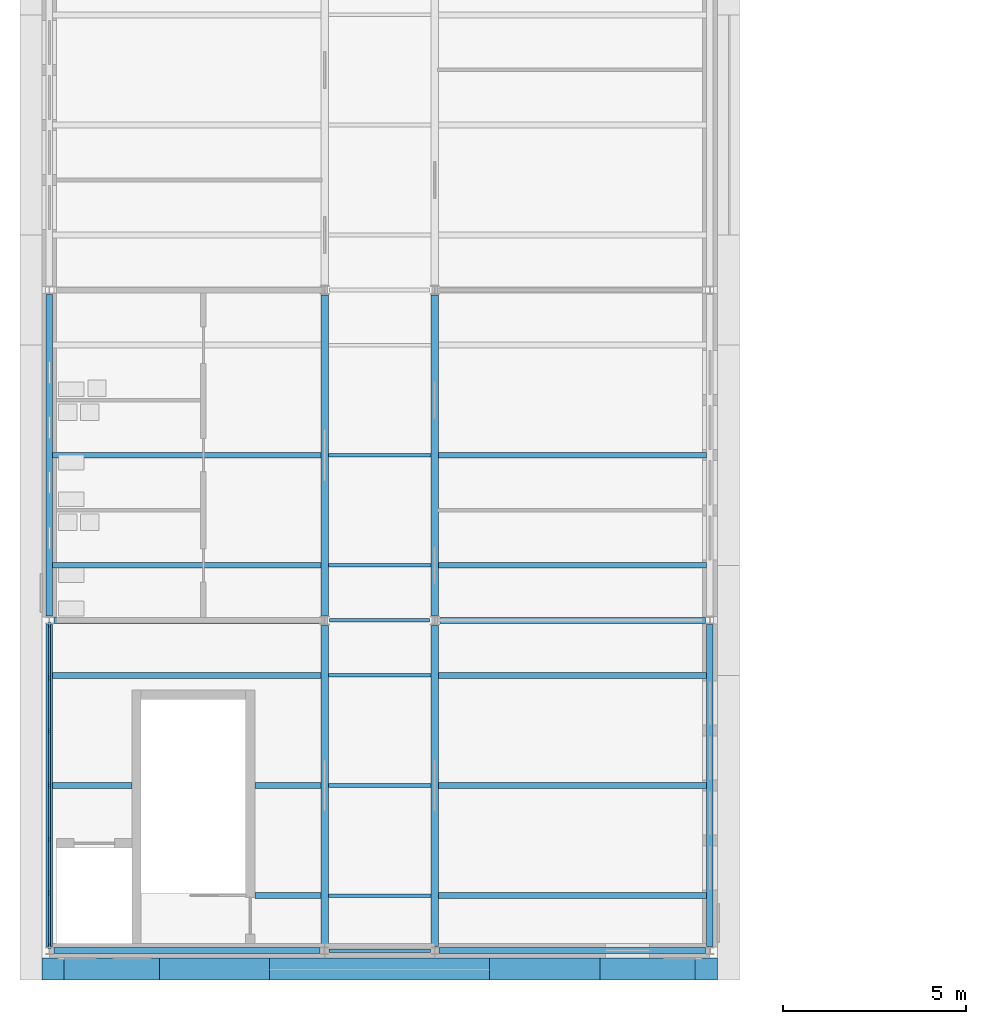
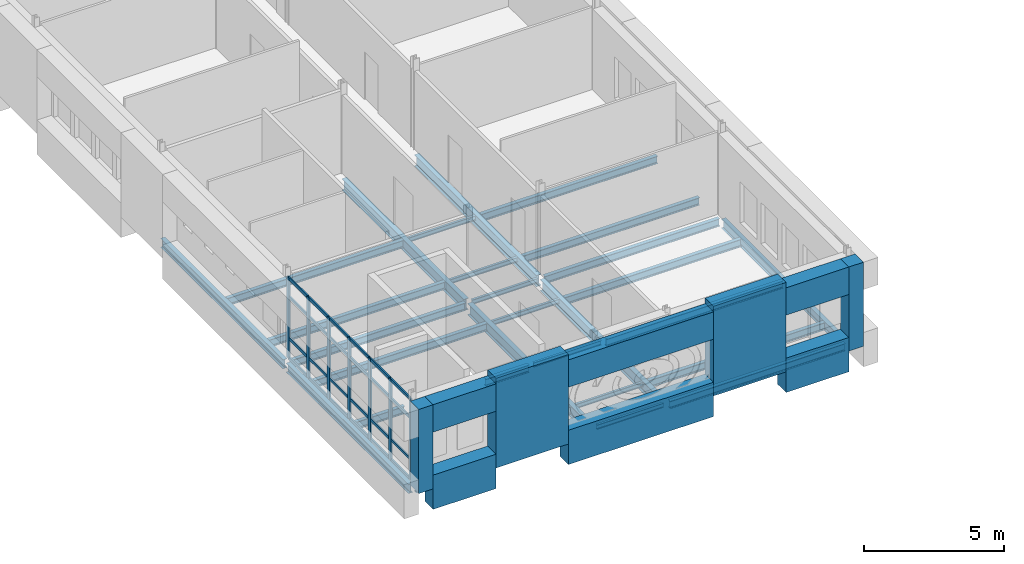
# One storey, part 7 of 42: 35 beams, 35 members, 1 element without a shape of its own.
"""IFC4 building model written with IfcOpenShell, lengths in metres."""

from ifc_helpers import new_model, si_unit, direction, frame, origin, origin_2d, place, context, subcontext, project, spatial, rectangle, i_section, extrude, material, layer, layer_set, material_profile, profile_set, type_object, element, aggregate, save


model = new_model("IFC4")

# Units and contexts
model_context = context("Model", 3, precision=1e-05, world=origin(), true_north=direction((0.0, 1.0)))
body_context = subcontext(model_context, "Body", "Model", "MODEL_VIEW")
ifc_project = project(units=[si_unit("LENGTHUNIT", "METRE"), si_unit("AREAUNIT", "SQUARE_METRE"), si_unit("VOLUMEUNIT", "CUBIC_METRE"), si_unit("PLANEANGLEUNIT", "RADIAN"), si_unit("MASSUNIT", "GRAM", prefix="KILO")], contexts=[model_context])

# Site, building, storey
site_placement = place(None, origin())
site = spatial("IfcSite", under=ifc_project, at=site_placement, CompositionType="ELEMENT")
building_placement = place(site_placement, origin())
building = spatial("IfcBuilding", under=site, at=building_placement, Name="Golden Quay Civic Hall", CompositionType="ELEMENT")
storey_placement = place(building_placement, frame((0.0, 0.0, 22.800048828125)))
storey = spatial("IfcBuildingStorey", under=building, at=storey_placement, Name="L05", CompositionType="ELEMENT", Elevation=22.800048828125)

# Curtain wall, members
ifc_material_1 = material(Name="Glass, laminated double glazed", Category="glass")
ifc_layer = layer(ifc_material_1, 0.199951171875)
ifc_layer_set = layer_set([ifc_layer], Name="Glazed core strip curtain wall")
curtain_wall_type = type_object("IfcCurtainWallType", Name="Glazed core strip curtain wall", PredefinedType="NOTDEFINED", material=ifc_layer_set)
curtain_wall_placement = place(storey_placement, origin())
curtain_wall = element("IfcCurtainWall", 1, at=curtain_wall_placement, inside=storey, type_object=curtain_wall_type, Name="Glazed core strip curtain wall L05 1", PredefinedType="NOTDEFINED")
ifc_material_2 = material(Name="Aluminium, anodised", Category="aluminium")
ifc_material_profile_1 = material_profile(ifc_material_2, rectangle(XDim=0.06005859375, YDim=0.159912109375, at=origin_2d()), Name="Aluminium 60 x 160")
ifc_profile_set_1 = profile_set([ifc_material_profile_1], Name="Aluminium, anodised")
member_type_1 = type_object("IfcMemberType", Name="Aluminium mullion 60 x 160", PredefinedType="MULLION", material=ifc_profile_set_1)
member_1_placement = place(storey_placement, frame((0.0, -8.875, 0.0), z_axis=(0.0, 0.0, 1.0), x_axis=(-1.0, 0.0, 0.0)))
member_1 = element("IfcMember", 2, at=member_1_placement, type_object=member_type_1, Name="CW2 mullion 1", PredefinedType="MULLION", context=body_context, shape_type="SweptSolid", body=[
    extrude(rectangle(XDim=0.06005859375, YDim=0.159912109375, at=origin_2d()), origin(), (0.0, 0.0, 1.0), 3.550048828125),
])
member_2_placement = place(storey_placement, frame((0.0, -7.436767578125, 0.0), z_axis=(0.0, 0.0, 1.0), x_axis=(-1.0, 0.0, 0.0)))
member_2 = element("IfcMember", 3, at=member_2_placement, type_object=member_type_1, Name="CW2 mullion 2", PredefinedType="MULLION", context=body_context, shape_type="SweptSolid", body=[
    extrude(rectangle(XDim=0.06005859375, YDim=0.159912109375, at=origin_2d()), origin(), (0.0, 0.0, 1.0), 3.550048828125),
])
member_3_placement = place(storey_placement, frame((0.0, -5.96826171875, 0.0), z_axis=(0.0, 0.0, 1.0), x_axis=(-1.0, 0.0, 0.0)))
member_3 = element("IfcMember", 4, at=member_3_placement, type_object=member_type_1, Name="CW2 mullion 3", PredefinedType="MULLION", context=body_context, shape_type="SweptSolid", body=[
    extrude(rectangle(XDim=0.06005859375, YDim=0.159912109375, at=origin_2d()), origin(), (0.0, 0.0, 1.0), 3.550048828125),
])
member_4_placement = place(storey_placement, frame((0.0, -4.5, 0.0), z_axis=(0.0, 0.0, 1.0), x_axis=(-1.0, 0.0, 0.0)))
member_4 = element("IfcMember", 5, at=member_4_placement, type_object=member_type_1, Name="CW2 mullion 4", PredefinedType="MULLION", context=body_context, shape_type="SweptSolid", body=[
    extrude(rectangle(XDim=0.06005859375, YDim=0.159912109375, at=origin_2d()), origin(), (0.0, 0.0, 1.0), 3.550048828125),
])
member_5_placement = place(storey_placement, frame((0.0, -3.03173828125, 0.0), z_axis=(0.0, 0.0, 1.0), x_axis=(-1.0, 0.0, 0.0)))
member_5 = element("IfcMember", 6, at=member_5_placement, type_object=member_type_1, Name="CW2 mullion 5", PredefinedType="MULLION", context=body_context, shape_type="SweptSolid", body=[
    extrude(rectangle(XDim=0.06005859375, YDim=0.159912109375, at=origin_2d()), origin(), (0.0, 0.0, 1.0), 3.550048828125),
])
member_6_placement = place(storey_placement, frame((0.0, -1.563232421875, 0.0), z_axis=(0.0, 0.0, 1.0), x_axis=(-1.0, 0.0, 0.0)))
member_6 = element("IfcMember", 7, at=member_6_placement, type_object=member_type_1, Name="CW2 mullion 6", PredefinedType="MULLION", context=body_context, shape_type="SweptSolid", body=[
    extrude(rectangle(XDim=0.06005859375, YDim=0.159912109375, at=origin_2d()), origin(), (0.0, 0.0, 1.0), 3.550048828125),
])
member_7_placement = place(storey_placement, frame((0.0, -0.125, 0.0), z_axis=(0.0, 0.0, 1.0), x_axis=(-1.0, 0.0, 0.0)))
member_7 = element("IfcMember", 8, at=member_7_placement, type_object=member_type_1, Name="CW2 mullion 7", PredefinedType="MULLION", context=body_context, shape_type="SweptSolid", body=[
    extrude(rectangle(XDim=0.06005859375, YDim=0.159912109375, at=origin_2d()), origin(), (0.0, 0.0, 1.0), 3.550048828125),
])
ifc_material_3 = material(Name="Aluminium, anodised", Category="aluminium")
ifc_material_profile_2 = material_profile(ifc_material_3, rectangle(XDim=0.06005859375, YDim=0.1201171875, at=origin_2d()), Name="Aluminium 60 x 120")
ifc_profile_set_2 = profile_set([ifc_material_profile_2], Name="Aluminium, anodised")
member_type_2 = type_object("IfcMemberType", Name="Aluminium transom 60 x 120", PredefinedType="USERDEFINED", material=ifc_profile_set_2)
member_8_placement = place(storey_placement, frame((0.0, -8.844970703125, 0.030029296875), z_axis=(0.0, 1.0, 0.0), x_axis=(-1.0, 0.0, 0.0)))
member_8 = element("IfcMember", 9, at=member_8_placement, type_object=member_type_2, Name="CW2 transom 1.1", ObjectType="TRANSOM", PredefinedType="USERDEFINED", context=body_context, shape_type="SweptSolid", body=[
    extrude(rectangle(XDim=0.06005859375, YDim=0.1201171875, at=origin_2d()), origin(), (0.0, 0.0, 1.0), 1.37841796875),
])
member_9_placement = place(storey_placement, frame((0.0, -8.844970703125, 0.89990234375), z_axis=(0.0, 1.0, 0.0), x_axis=(-1.0, 0.0, 0.0)))
member_9 = element("IfcMember", 10, at=member_9_placement, type_object=member_type_2, Name="CW2 transom 1.2", ObjectType="TRANSOM", PredefinedType="USERDEFINED", context=body_context, shape_type="SweptSolid", body=[
    extrude(rectangle(XDim=0.06005859375, YDim=0.1201171875, at=origin_2d()), origin(), (0.0, 0.0, 1.0), 1.37841796875),
])
member_10_placement = place(storey_placement, frame((0.0, -8.844970703125, 2.699951171875), z_axis=(0.0, 1.0, 0.0), x_axis=(-1.0, 0.0, 0.0)))
member_10 = element("IfcMember", 11, at=member_10_placement, type_object=member_type_2, Name="CW2 transom 1.3", ObjectType="TRANSOM", PredefinedType="USERDEFINED", context=body_context, shape_type="SweptSolid", body=[
    extrude(rectangle(XDim=0.06005859375, YDim=0.1201171875, at=origin_2d()), origin(), (0.0, 0.0, 1.0), 1.37841796875),
])
member_11_placement = place(storey_placement, frame((0.0, -8.844970703125, 3.52001953125), z_axis=(0.0, 1.0, 0.0), x_axis=(-1.0, 0.0, 0.0)))
member_11 = element("IfcMember", 12, at=member_11_placement, type_object=member_type_2, Name="CW2 transom 1.4", ObjectType="TRANSOM", PredefinedType="USERDEFINED", context=body_context, shape_type="SweptSolid", body=[
    extrude(rectangle(XDim=0.06005859375, YDim=0.1201171875, at=origin_2d()), origin(), (0.0, 0.0, 1.0), 1.37841796875),
])
member_12_placement = place(storey_placement, frame((0.0, -7.40673828125, 0.030029296875), z_axis=(0.0, 1.0, 0.0), x_axis=(-1.0, 0.0, 0.0)))
member_12 = element("IfcMember", 13, at=member_12_placement, type_object=member_type_2, Name="CW2 transom 2.1", ObjectType="TRANSOM", PredefinedType="USERDEFINED", context=body_context, shape_type="SweptSolid", body=[
    extrude(rectangle(XDim=0.06005859375, YDim=0.1201171875, at=origin_2d()), origin(), (0.0, 0.0, 1.0), 1.408447265625),
])
member_13_placement = place(storey_placement, frame((0.0, -7.40673828125, 0.89990234375), z_axis=(0.0, 1.0, 0.0), x_axis=(-1.0, 0.0, 0.0)))
member_13 = element("IfcMember", 14, at=member_13_placement, type_object=member_type_2, Name="CW2 transom 2.2", ObjectType="TRANSOM", PredefinedType="USERDEFINED", context=body_context, shape_type="SweptSolid", body=[
    extrude(rectangle(XDim=0.06005859375, YDim=0.1201171875, at=origin_2d()), origin(), (0.0, 0.0, 1.0), 1.408447265625),
])
member_14_placement = place(storey_placement, frame((0.0, -7.40673828125, 2.699951171875), z_axis=(0.0, 1.0, 0.0), x_axis=(-1.0, 0.0, 0.0)))
member_14 = element("IfcMember", 15, at=member_14_placement, type_object=member_type_2, Name="CW2 transom 2.3", ObjectType="TRANSOM", PredefinedType="USERDEFINED", context=body_context, shape_type="SweptSolid", body=[
    extrude(rectangle(XDim=0.06005859375, YDim=0.1201171875, at=origin_2d()), origin(), (0.0, 0.0, 1.0), 1.408447265625),
])
member_15_placement = place(storey_placement, frame((0.0, -7.40673828125, 3.52001953125), z_axis=(0.0, 1.0, 0.0), x_axis=(-1.0, 0.0, 0.0)))
member_15 = element("IfcMember", 16, at=member_15_placement, type_object=member_type_2, Name="CW2 transom 2.4", ObjectType="TRANSOM", PredefinedType="USERDEFINED", context=body_context, shape_type="SweptSolid", body=[
    extrude(rectangle(XDim=0.06005859375, YDim=0.1201171875, at=origin_2d()), origin(), (0.0, 0.0, 1.0), 1.408447265625),
])
member_16_placement = place(storey_placement, frame((0.0, -5.938232421875, 0.030029296875), z_axis=(0.0, 1.0, 0.0), x_axis=(-1.0, 0.0, 0.0)))
member_16 = element("IfcMember", 17, at=member_16_placement, type_object=member_type_2, Name="CW2 transom 3.1", ObjectType="TRANSOM", PredefinedType="USERDEFINED", context=body_context, shape_type="SweptSolid", body=[
    extrude(rectangle(XDim=0.06005859375, YDim=0.1201171875, at=origin_2d()), origin(), (0.0, 0.0, 1.0), 1.408203125),
])
member_17_placement = place(storey_placement, frame((0.0, -5.938232421875, 0.89990234375), z_axis=(0.0, 1.0, 0.0), x_axis=(-1.0, 0.0, 0.0)))
member_17 = element("IfcMember", 18, at=member_17_placement, type_object=member_type_2, Name="CW2 transom 3.2", ObjectType="TRANSOM", PredefinedType="USERDEFINED", context=body_context, shape_type="SweptSolid", body=[
    extrude(rectangle(XDim=0.06005859375, YDim=0.1201171875, at=origin_2d()), origin(), (0.0, 0.0, 1.0), 1.408203125),
])
member_18_placement = place(storey_placement, frame((0.0, -5.938232421875, 2.699951171875), z_axis=(0.0, 1.0, 0.0), x_axis=(-1.0, 0.0, 0.0)))
member_18 = element("IfcMember", 19, at=member_18_placement, type_object=member_type_2, Name="CW2 transom 3.3", ObjectType="TRANSOM", PredefinedType="USERDEFINED", context=body_context, shape_type="SweptSolid", body=[
    extrude(rectangle(XDim=0.06005859375, YDim=0.1201171875, at=origin_2d()), origin(), (0.0, 0.0, 1.0), 1.408203125),
])
member_19_placement = place(storey_placement, frame((0.0, -5.938232421875, 3.52001953125), z_axis=(0.0, 1.0, 0.0), x_axis=(-1.0, 0.0, 0.0)))
member_19 = element("IfcMember", 20, at=member_19_placement, type_object=member_type_2, Name="CW2 transom 3.4", ObjectType="TRANSOM", PredefinedType="USERDEFINED", context=body_context, shape_type="SweptSolid", body=[
    extrude(rectangle(XDim=0.06005859375, YDim=0.1201171875, at=origin_2d()), origin(), (0.0, 0.0, 1.0), 1.408203125),
])
member_20_placement = place(storey_placement, frame((0.0, -4.469970703125, 0.030029296875), z_axis=(0.0, 1.0, 0.0), x_axis=(-1.0, 0.0, 0.0)))
member_20 = element("IfcMember", 21, at=member_20_placement, type_object=member_type_2, Name="CW2 transom 4.1", ObjectType="TRANSOM", PredefinedType="USERDEFINED", context=body_context, shape_type="SweptSolid", body=[
    extrude(rectangle(XDim=0.06005859375, YDim=0.1201171875, at=origin_2d()), origin(), (0.0, 0.0, 1.0), 1.408203125),
])
member_21_placement = place(storey_placement, frame((0.0, -4.469970703125, 0.89990234375), z_axis=(0.0, 1.0, 0.0), x_axis=(-1.0, 0.0, 0.0)))
member_21 = element("IfcMember", 22, at=member_21_placement, type_object=member_type_2, Name="CW2 transom 4.2", ObjectType="TRANSOM", PredefinedType="USERDEFINED", context=body_context, shape_type="SweptSolid", body=[
    extrude(rectangle(XDim=0.06005859375, YDim=0.1201171875, at=origin_2d()), origin(), (0.0, 0.0, 1.0), 1.408203125),
])
member_22_placement = place(storey_placement, frame((0.0, -4.469970703125, 2.699951171875), z_axis=(0.0, 1.0, 0.0), x_axis=(-1.0, 0.0, 0.0)))
member_22 = element("IfcMember", 23, at=member_22_placement, type_object=member_type_2, Name="CW2 transom 4.3", ObjectType="TRANSOM", PredefinedType="USERDEFINED", context=body_context, shape_type="SweptSolid", body=[
    extrude(rectangle(XDim=0.06005859375, YDim=0.1201171875, at=origin_2d()), origin(), (0.0, 0.0, 1.0), 1.408203125),
])
member_23_placement = place(storey_placement, frame((0.0, -4.469970703125, 3.52001953125), z_axis=(0.0, 1.0, 0.0), x_axis=(-1.0, 0.0, 0.0)))
member_23 = element("IfcMember", 24, at=member_23_placement, type_object=member_type_2, Name="CW2 transom 4.4", ObjectType="TRANSOM", PredefinedType="USERDEFINED", context=body_context, shape_type="SweptSolid", body=[
    extrude(rectangle(XDim=0.06005859375, YDim=0.1201171875, at=origin_2d()), origin(), (0.0, 0.0, 1.0), 1.408203125),
])
member_24_placement = place(storey_placement, frame((0.0, -3.001708984375, 0.030029296875), z_axis=(0.0, 1.0, 0.0), x_axis=(-1.0, 0.0, 0.0)))
member_24 = element("IfcMember", 25, at=member_24_placement, type_object=member_type_2, Name="CW2 transom 5.1", ObjectType="TRANSOM", PredefinedType="USERDEFINED", context=body_context, shape_type="SweptSolid", body=[
    extrude(rectangle(XDim=0.06005859375, YDim=0.1201171875, at=origin_2d()), origin(), (0.0, 0.0, 1.0), 1.408447265625),
])
member_25_placement = place(storey_placement, frame((0.0, -3.001708984375, 0.89990234375), z_axis=(0.0, 1.0, 0.0), x_axis=(-1.0, 0.0, 0.0)))
member_25 = element("IfcMember", 26, at=member_25_placement, type_object=member_type_2, Name="CW2 transom 5.2", ObjectType="TRANSOM", PredefinedType="USERDEFINED", context=body_context, shape_type="SweptSolid", body=[
    extrude(rectangle(XDim=0.06005859375, YDim=0.1201171875, at=origin_2d()), origin(), (0.0, 0.0, 1.0), 1.408447265625),
])
member_26_placement = place(storey_placement, frame((0.0, -3.001708984375, 2.699951171875), z_axis=(0.0, 1.0, 0.0), x_axis=(-1.0, 0.0, 0.0)))
member_26 = element("IfcMember", 27, at=member_26_placement, type_object=member_type_2, Name="CW2 transom 5.3", ObjectType="TRANSOM", PredefinedType="USERDEFINED", context=body_context, shape_type="SweptSolid", body=[
    extrude(rectangle(XDim=0.06005859375, YDim=0.1201171875, at=origin_2d()), origin(), (0.0, 0.0, 1.0), 1.408447265625),
])
member_27_placement = place(storey_placement, frame((0.0, -3.001708984375, 3.52001953125), z_axis=(0.0, 1.0, 0.0), x_axis=(-1.0, 0.0, 0.0)))
member_27 = element("IfcMember", 28, at=member_27_placement, type_object=member_type_2, Name="CW2 transom 5.4", ObjectType="TRANSOM", PredefinedType="USERDEFINED", context=body_context, shape_type="SweptSolid", body=[
    extrude(rectangle(XDim=0.06005859375, YDim=0.1201171875, at=origin_2d()), origin(), (0.0, 0.0, 1.0), 1.408447265625),
])
member_28_placement = place(storey_placement, frame((0.0, -1.533447265625, 0.030029296875), z_axis=(0.0, 1.0, 0.0), x_axis=(-1.0, 0.0, 0.0)))
member_28 = element("IfcMember", 29, at=member_28_placement, type_object=member_type_2, Name="CW2 transom 6.1", ObjectType="TRANSOM", PredefinedType="USERDEFINED", context=body_context, shape_type="SweptSolid", body=[
    extrude(rectangle(XDim=0.06005859375, YDim=0.1201171875, at=origin_2d()), origin(), (0.0, 0.0, 1.0), 1.37841796875),
])
member_29_placement = place(storey_placement, frame((0.0, -1.533447265625, 0.89990234375), z_axis=(0.0, 1.0, 0.0), x_axis=(-1.0, 0.0, 0.0)))
member_29 = element("IfcMember", 30, at=member_29_placement, type_object=member_type_2, Name="CW2 transom 6.2", ObjectType="TRANSOM", PredefinedType="USERDEFINED", context=body_context, shape_type="SweptSolid", body=[
    extrude(rectangle(XDim=0.06005859375, YDim=0.1201171875, at=origin_2d()), origin(), (0.0, 0.0, 1.0), 1.37841796875),
])
member_30_placement = place(storey_placement, frame((0.0, -1.533447265625, 2.699951171875), z_axis=(0.0, 1.0, 0.0), x_axis=(-1.0, 0.0, 0.0)))
member_30 = element("IfcMember", 31, at=member_30_placement, type_object=member_type_2, Name="CW2 transom 6.3", ObjectType="TRANSOM", PredefinedType="USERDEFINED", context=body_context, shape_type="SweptSolid", body=[
    extrude(rectangle(XDim=0.06005859375, YDim=0.1201171875, at=origin_2d()), origin(), (0.0, 0.0, 1.0), 1.37841796875),
])
member_31_placement = place(storey_placement, frame((0.0, -1.533447265625, 3.52001953125), z_axis=(0.0, 1.0, 0.0), x_axis=(-1.0, 0.0, 0.0)))
member_31 = element("IfcMember", 32, at=member_31_placement, type_object=member_type_2, Name="CW2 transom 6.4", ObjectType="TRANSOM", PredefinedType="USERDEFINED", context=body_context, shape_type="SweptSolid", body=[
    extrude(rectangle(XDim=0.06005859375, YDim=0.1201171875, at=origin_2d()), origin(), (0.0, 0.0, 1.0), 1.37841796875),
])
aggregate(curtain_wall, [member_1, member_2, member_3, member_4, member_5, member_6, member_7, member_8, member_9, member_10, member_11, member_12, member_13, member_14, member_15, member_16, member_17, member_18, member_19, member_20, member_21, member_22, member_23, member_24, member_25, member_26, member_27, member_28, member_29, member_30, member_31])

# Members
ifc_material_4 = material(Name="Concrete C40/50", Category="concrete")
ifc_material_profile_3 = material_profile(ifc_material_4, rectangle(XDim=3.0, YDim=0.60009765625, at=origin_2d()), Name="RC 3000x600")
ifc_profile_set_3 = profile_set([ifc_material_profile_3], Name="Concrete C40/50")
member_type_3 = type_object("IfcMemberType", Name="Precast concrete facade pier 3000 x 600", PredefinedType="POST", material=ifc_profile_set_3)
for number, where, z_axis, x_axis, name in (
    (33, (4.5, -9.5, 0.0), (0.0, 0.0, 1.0), (1.0, 0.0, 0.0), "Precast concrete facade pier 3000 x 600 L05 17"),
    (34, (13.5, -9.5, 0.0), (0.0, 0.0, 1.0), (1.0, 0.0, 0.0), "Precast concrete facade pier 3000 x 600 L05 18"),
):
    element("IfcMember", number, at=place(storey_placement, frame(where, z_axis=z_axis, x_axis=x_axis)), inside=storey, type_object=member_type_3, Name=name, PredefinedType="POST", context=body_context, shape_type="SweptSolid", body=[
        extrude(rectangle(XDim=3.0, YDim=0.60009765625, at=origin_2d()), origin(), (0.0, 0.0, 1.0), 3.919921875),
    ])
ifc_material_5 = material(Name="Concrete C40/50", Category="concrete")
ifc_material_profile_4 = material_profile(ifc_material_5, rectangle(XDim=0.60009765625, YDim=0.60009765625, at=origin_2d()), Name="RC 600x600")
ifc_profile_set_4 = profile_set([ifc_material_profile_4], Name="Concrete C40/50")
member_type_4 = type_object("IfcMemberType", Name="Precast concrete facade post 600 x 600", PredefinedType="POST", material=ifc_profile_set_4)
for number, where, z_axis, x_axis, name in (
    (35, (0.10009765625, -9.5, 0.0), (0.0, 0.0, 1.0), (1.0, 0.0, 0.0), "Precast concrete facade post 600 x 600 L05 4"),
    (36, (17.89990234375, -9.5, 0.0), (0.0, 0.0, 1.0), (1.0, 0.0, 0.0), "Precast concrete facade post 600 x 600 L05 5"),
):
    element("IfcMember", number, at=place(storey_placement, frame(where, z_axis=z_axis, x_axis=x_axis)), inside=storey, type_object=member_type_4, Name=name, PredefinedType="POST", context=body_context, shape_type="SweptSolid", body=[
        extrude(rectangle(XDim=0.60009765625, YDim=0.60009765625, at=origin_2d()), origin(), (0.0, 0.0, 1.0), 3.679931640625),
    ])

# Beams
ifc_material_6 = material(Name="Concrete C40/50", Category="concrete")
ifc_material_profile_5 = material_profile(ifc_material_6, rectangle(XDim=0.60009765625, YDim=1.199951171875, at=origin_2d()), Name="RC 600x1200")
ifc_profile_set_5 = profile_set([ifc_material_profile_5], Name="Concrete C40/50")
beam_type_1 = type_object("IfcBeamType", Name="Precast concrete spandrel beam 600 x 1200", PredefinedType="SPANDREL", material=ifc_profile_set_5)
for number, where, z_axis, x_axis, name in (
    (37, (0.39990234375, -9.5, 3.079833984375), (1.0, 0.0, 0.0), (0.0, 1.0, 0.0), "Precast concrete spandrel beam 600 x 1200 L05 12"),
    (38, (15.0, -9.5, 3.079833984375), (1.0, 0.0, 0.0), (0.0, 1.0, 0.0), "Precast concrete spandrel beam 600 x 1200 L05 13"),
):
    element("IfcBeam", number, at=place(storey_placement, frame(where, z_axis=z_axis, x_axis=x_axis)), inside=storey, type_object=beam_type_1, Name=name, PredefinedType="SPANDREL", context=body_context, shape_type="SweptSolid", body=[
        extrude(rectangle(XDim=0.60009765625, YDim=1.199951171875, at=origin_2d()), origin(), (0.0, 0.0, 1.0), 2.60009765625),
    ])
beam_1_placement = place(storey_placement, frame((6.0, -9.5, 3.079833984375), z_axis=(1.0, 0.0, 0.0), x_axis=(0.0, 1.0, 0.0)))
element("IfcBeam", 39, at=beam_1_placement, inside=storey, type_object=beam_type_1, Name="Precast concrete spandrel beam 600 x 1200 L05 14", PredefinedType="SPANDREL", context=body_context, shape_type="SweptSolid", body=[
    extrude(rectangle(XDim=0.60009765625, YDim=1.199951171875, at=origin_2d()), origin(), (0.0, 0.0, 1.0), 6.0),
])
ifc_material_7 = material(Name="Concrete C40/50", Category="concrete")
ifc_material_profile_6 = material_profile(ifc_material_7, rectangle(XDim=0.60009765625, YDim=1.5, at=origin_2d()), Name="RC 600x1500")
ifc_profile_set_6 = profile_set([ifc_material_profile_6], Name="Concrete C40/50")
beam_type_2 = type_object("IfcBeamType", Name="Precast concrete spandrel beam 600 x 1500", PredefinedType="SPANDREL", material=ifc_profile_set_6)
for number, where, z_axis, x_axis, name in (
    (40, (0.39990234375, -9.5, -0.150146484375), (1.0, 0.0, 0.0), (0.0, 1.0, 0.0), "Precast concrete spandrel beam 600 x 1500 L05 12"),
    (41, (15.0, -9.5, -0.150146484375), (1.0, 0.0, 0.0), (0.0, 1.0, 0.0), "Precast concrete spandrel beam 600 x 1500 L05 13"),
):
    element("IfcBeam", number, at=place(storey_placement, frame(where, z_axis=z_axis, x_axis=x_axis)), inside=storey, type_object=beam_type_2, Name=name, PredefinedType="SPANDREL", context=body_context, shape_type="SweptSolid", body=[
        extrude(rectangle(XDim=0.60009765625, YDim=1.5, at=origin_2d()), origin(), (0.0, 0.0, 1.0), 2.60009765625),
    ])
beam_2_placement = place(storey_placement, frame((6.0, -9.5, -0.150146484375), z_axis=(1.0, 0.0, 0.0), x_axis=(0.0, 1.0, 0.0)))
element("IfcBeam", 42, at=beam_2_placement, inside=storey, type_object=beam_type_2, Name="Precast concrete spandrel beam 600 x 1500 L05 14", PredefinedType="SPANDREL", context=body_context, shape_type="SweptSolid", body=[
    extrude(rectangle(XDim=0.60009765625, YDim=1.5, at=origin_2d()), origin(), (0.0, 0.0, 1.0), 6.0),
])
ifc_material_8 = material(Name="Steel S355", Category="steel")
ifc_material_profile_7 = material_profile(ifc_material_8, i_section(OverallWidth=0.10009765625, OverallDepth=0.199951171875, WebThickness=0.005615234375, FlangeThickness=0.008544921875, FilletRadius=0.011962890625, at=origin_2d()), Name="IPE 200")
ifc_profile_set_7 = profile_set([ifc_material_profile_7], Name="Steel S355")
beam_type_3 = type_object("IfcBeamType", Name="Steel beam IPE 200", PredefinedType="BEAM", material=ifc_profile_set_7)
beam_3_placement = place(storey_placement, frame((7.6201171875, -9.0, -0.300048828125), z_axis=(1.0, 0.0, 0.0), x_axis=(0.0, 1.0, 0.0)))
element("IfcBeam", 43, at=beam_3_placement, inside=storey, type_object=beam_type_3, Name="Beam S-9-7.5", PredefinedType="BEAM", context=body_context, shape_type="SweptSolid", body=[
    extrude(i_section(OverallWidth=0.10009765625, OverallDepth=0.199951171875, WebThickness=0.005615234375, FlangeThickness=0.008544921875, FilletRadius=0.011962890625, at=origin_2d()), origin(), (0.0, 0.0, 1.0), 2.759765625),
])
beam_4_placement = place(storey_placement, frame((7.639892578125, 0.0, -0.300048828125), z_axis=(1.0, 0.0, 0.0), x_axis=(0.0, 1.0, 0.0)))
element("IfcBeam", 44, at=beam_4_placement, inside=storey, type_object=beam_type_3, Name="Beam S0-7.5", PredefinedType="BEAM", context=body_context, shape_type="SweptSolid", body=[
    extrude(i_section(OverallWidth=0.10009765625, OverallDepth=0.199951171875, WebThickness=0.005615234375, FlangeThickness=0.008544921875, FilletRadius=0.011962890625, at=origin_2d()), origin(), (0.0, 0.0, 1.0), 2.72021484375),
])
ifc_material_9 = material(Name="Steel S355", Category="steel")
ifc_material_profile_8 = material_profile(ifc_material_9, i_section(OverallWidth=0.159912109375, OverallDepth=0.330078125, WebThickness=0.007568359375, FlangeThickness=0.011474609375, FilletRadius=0.01806640625, at=origin_2d()), Name="IPE 330")
ifc_profile_set_8 = profile_set([ifc_material_profile_8], Name="Steel S355")
beam_type_4 = type_object("IfcBeamType", Name="Steel beam IPE 330", PredefinedType="BEAM", material=ifc_profile_set_8)
for number, where, z_axis, x_axis, name in (
    (45, (0.1201171875, -9.0, -0.364990234375), (1.0, 0.0, 0.0), (0.0, 1.0, 0.0), "Beam S-9-0"),
    (46, (10.6201171875, -9.0, -0.364990234375), (1.0, 0.0, 0.0), (0.0, 1.0, 0.0), "Beam S-9-10.5"),
):
    element("IfcBeam", number, at=place(storey_placement, frame(where, z_axis=z_axis, x_axis=x_axis)), inside=storey, type_object=beam_type_4, Name=name, PredefinedType="BEAM", context=body_context, shape_type="SweptSolid", body=[
        extrude(i_section(OverallWidth=0.159912109375, OverallDepth=0.330078125, WebThickness=0.007568359375, FlangeThickness=0.011474609375, FilletRadius=0.01806640625, at=origin_2d()), origin(), (0.0, 0.0, 1.0), 7.259765625),
    ])
for number, where, z_axis, x_axis, name in (
    (47, (0.1201171875, 0.0, -0.364990234375), (1.0, 0.0, 0.0), (0.0, 1.0, 0.0), "Beam S0-0"),
    (48, (10.639892578125, 0.0, -0.364990234375), (1.0, 0.0, 0.0), (0.0, 1.0, 0.0), "Beam S0-10.5"),
):
    element("IfcBeam", number, at=place(storey_placement, frame(where, z_axis=z_axis, x_axis=x_axis)), inside=storey, type_object=beam_type_4, Name=name, PredefinedType="BEAM", context=body_context, shape_type="SweptSolid", body=[
        extrude(i_section(OverallWidth=0.159912109375, OverallDepth=0.330078125, WebThickness=0.007568359375, FlangeThickness=0.011474609375, FilletRadius=0.01806640625, at=origin_2d()), origin(), (0.0, 0.0, 1.0), 7.239990234375),
    ])
ifc_material_10 = material(Name="Steel S355", Category="steel")
ifc_material_profile_9 = material_profile(ifc_material_10, i_section(OverallWidth=0.179931640625, OverallDepth=0.39990234375, WebThickness=0.008544921875, FlangeThickness=0.013427734375, FilletRadius=0.02099609375, at=origin_2d()), Name="IPE 400")
ifc_profile_set_9 = profile_set([ifc_material_profile_9], Name="Steel S355")
beam_type_5 = type_object("IfcBeamType", Name="Steel beam IPE 400", PredefinedType="BEAM", material=ifc_profile_set_9)
for number, where, z_axis, x_axis, name in (
    (49, (0.0, -8.885009765625, -0.400146484375), (0.0, 1.0, 0.0), (-1.0, 0.0, 0.0), "Beam L0--9"),
    (50, (0.0, 0.114990234375, -0.400146484375), (0.0, 1.0, 0.0), (-1.0, 0.0, 0.0), "Beam L0-0"),
    (51, (18.0, -8.885009765625, -0.400146484375), (0.0, 1.0, 0.0), (-1.0, 0.0, 0.0), "Beam L18--9"),
):
    element("IfcBeam", number, at=place(storey_placement, frame(where, z_axis=z_axis, x_axis=x_axis)), inside=storey, type_object=beam_type_5, Name=name, PredefinedType="BEAM", context=body_context, shape_type="SweptSolid", body=[
        extrude(i_section(OverallWidth=0.179931640625, OverallDepth=0.39990234375, WebThickness=0.008544921875, FlangeThickness=0.013427734375, FilletRadius=0.02099609375, at=origin_2d()), origin(), (0.0, 0.0, 1.0), 8.77001953125),
    ])
ifc_material_11 = material(Name="Steel S355", Category="steel")
ifc_material_profile_10 = material_profile(ifc_material_11, i_section(OverallWidth=0.199951171875, OverallDepth=0.5, WebThickness=0.01025390625, FlangeThickness=0.01611328125, FilletRadius=0.02099609375, at=origin_2d()), Name="IPE 500")
ifc_profile_set_10 = profile_set([ifc_material_profile_10], Name="Steel S355")
beam_type_6 = type_object("IfcBeamType", Name="Steel beam IPE 500", PredefinedType="BEAM", material=ifc_profile_set_10)
beam_5_placement = place(storey_placement, frame((7.5, -8.885009765625, -0.449951171875), z_axis=(0.0, 1.0, 0.0), x_axis=(-1.0, 0.0, 0.0)))
element("IfcBeam", 52, at=beam_5_placement, inside=storey, type_object=beam_type_6, Name="Beam L7.5--9", PredefinedType="BEAM", context=body_context, shape_type="SweptSolid", body=[
    extrude(i_section(OverallWidth=0.199951171875, OverallDepth=0.5, WebThickness=0.01025390625, FlangeThickness=0.01611328125, FilletRadius=0.02099609375, at=origin_2d()), origin(), (0.0, 0.0, 1.0), 8.75),
])
beam_6_placement = place(storey_placement, frame((7.5, 0.135009765625, -0.449951171875), z_axis=(0.0, 1.0, 0.0), x_axis=(-1.0, 0.0, 0.0)))
element("IfcBeam", 53, at=beam_6_placement, inside=storey, type_object=beam_type_6, Name="Beam L7.5-0", PredefinedType="BEAM", context=body_context, shape_type="SweptSolid", body=[
    extrude(i_section(OverallWidth=0.199951171875, OverallDepth=0.5, WebThickness=0.01025390625, FlangeThickness=0.01611328125, FilletRadius=0.02099609375, at=origin_2d()), origin(), (0.0, 0.0, 1.0), 8.72998046875),
])
beam_7_placement = place(storey_placement, frame((10.5, -8.885009765625, -0.449951171875), z_axis=(0.0, 1.0, 0.0), x_axis=(-1.0, 0.0, 0.0)))
element("IfcBeam", 54, at=beam_7_placement, inside=storey, type_object=beam_type_6, Name="Beam L10.5--9", PredefinedType="BEAM", context=body_context, shape_type="SweptSolid", body=[
    extrude(i_section(OverallWidth=0.199951171875, OverallDepth=0.5, WebThickness=0.01025390625, FlangeThickness=0.01611328125, FilletRadius=0.02099609375, at=origin_2d()), origin(), (0.0, 0.0, 1.0), 8.75),
])
beam_8_placement = place(storey_placement, frame((10.5, 0.135009765625, -0.449951171875), z_axis=(0.0, 1.0, 0.0), x_axis=(-1.0, 0.0, 0.0)))
element("IfcBeam", 55, at=beam_8_placement, inside=storey, type_object=beam_type_6, Name="Beam L10.5-0", PredefinedType="BEAM", context=body_context, shape_type="SweptSolid", body=[
    extrude(i_section(OverallWidth=0.199951171875, OverallDepth=0.5, WebThickness=0.01025390625, FlangeThickness=0.01611328125, FilletRadius=0.02099609375, at=origin_2d()), origin(), (0.0, 0.0, 1.0), 8.72998046875),
])
ifc_material_12 = material(Name="Steel S355", Category="steel")
ifc_material_profile_11 = material_profile(ifc_material_12, i_section(OverallWidth=0.10009765625, OverallDepth=0.199951171875, WebThickness=0.005615234375, FlangeThickness=0.008544921875, FilletRadius=0.011962890625, at=origin_2d()), Name="IPE 200")
ifc_profile_set_11 = profile_set([ifc_material_profile_11], Name="Steel S355")
beam_type_7 = type_object("IfcBeamType", Name="Steel joist IPE 200", PredefinedType="JOIST", material=ifc_profile_set_11)
for number, where, z_axis, x_axis, name in (
    (56, (7.60009765625, -7.5, -0.300048828125), (1.0, 0.0, 0.0), (0.0, 1.0, 0.0), "Joist J-7.5-7.5"),
    (57, (7.60009765625, -4.5, -0.300048828125), (1.0, 0.0, 0.0), (0.0, 1.0, 0.0), "Joist J-4.5-7.5"),
    (58, (7.60009765625, -1.5, -0.300048828125), (1.0, 0.0, 0.0), (0.0, 1.0, 0.0), "Joist J-1.5-7.5"),
    (59, (7.60009765625, 1.5, -0.300048828125), (1.0, 0.0, 0.0), (0.0, 1.0, 0.0), "Joist J1.5-7.5"),
    (60, (7.60009765625, 4.5, -0.300048828125), (1.0, 0.0, 0.0), (0.0, 1.0, 0.0), "Joist J4.5-7.5"),
):
    element("IfcBeam", number, at=place(storey_placement, frame(where, z_axis=z_axis, x_axis=x_axis)), inside=storey, type_object=beam_type_7, Name=name, PredefinedType="JOIST", context=body_context, shape_type="SweptSolid", body=[
        extrude(i_section(OverallWidth=0.10009765625, OverallDepth=0.199951171875, WebThickness=0.005615234375, FlangeThickness=0.008544921875, FilletRadius=0.011962890625, at=origin_2d()), origin(), (0.0, 0.0, 1.0), 2.7998046875),
    ])
ifc_material_13 = material(Name="Steel S355", Category="steel")
ifc_material_profile_12 = material_profile(ifc_material_13, i_section(OverallWidth=0.159912109375, OverallDepth=0.330078125, WebThickness=0.007568359375, FlangeThickness=0.011474609375, FilletRadius=0.01806640625, at=origin_2d()), Name="IPE 330")
ifc_profile_set_12 = profile_set([ifc_material_profile_12], Name="Steel S355")
beam_type_8 = type_object("IfcBeamType", Name="Steel joist IPE 330", PredefinedType="JOIST", material=ifc_profile_set_12)
beam_9_placement = place(storey_placement, frame((5.60009765625, -7.5, -0.364990234375), z_axis=(1.0, 0.0, 0.0), x_axis=(0.0, 1.0, 0.0)))
element("IfcBeam", 61, at=beam_9_placement, inside=storey, type_object=beam_type_8, Name="Joist J-7.5-0-1", PredefinedType="JOIST", context=body_context, shape_type="SweptSolid", body=[
    extrude(i_section(OverallWidth=0.159912109375, OverallDepth=0.330078125, WebThickness=0.007568359375, FlangeThickness=0.011474609375, FilletRadius=0.01806640625, at=origin_2d()), origin(), (0.0, 0.0, 1.0), 1.7998046875),
])
beam_10_placement = place(storey_placement, frame((10.60009765625, -7.5, -0.364990234375), z_axis=(1.0, 0.0, 0.0), x_axis=(0.0, 1.0, 0.0)))
element("IfcBeam", 62, at=beam_10_placement, inside=storey, type_object=beam_type_8, Name="Joist J-7.5-10.5", PredefinedType="JOIST", context=body_context, shape_type="SweptSolid", body=[
    extrude(i_section(OverallWidth=0.159912109375, OverallDepth=0.330078125, WebThickness=0.007568359375, FlangeThickness=0.011474609375, FilletRadius=0.01806640625, at=origin_2d()), origin(), (0.0, 0.0, 1.0), 7.309814453125),
])
beam_11_placement = place(storey_placement, frame((0.090087890625, -4.5, -0.364990234375), z_axis=(1.0, 0.0, 0.0), x_axis=(0.0, 1.0, 0.0)))
element("IfcBeam", 63, at=beam_11_placement, inside=storey, type_object=beam_type_8, Name="Joist J-4.5-0-0", PredefinedType="JOIST", context=body_context, shape_type="SweptSolid", body=[
    extrude(i_section(OverallWidth=0.159912109375, OverallDepth=0.330078125, WebThickness=0.007568359375, FlangeThickness=0.011474609375, FilletRadius=0.01806640625, at=origin_2d()), origin(), (0.0, 0.0, 1.0), 2.159912109375),
])
beam_12_placement = place(storey_placement, frame((5.60009765625, -4.5, -0.364990234375), z_axis=(1.0, 0.0, 0.0), x_axis=(0.0, 1.0, 0.0)))
element("IfcBeam", 64, at=beam_12_placement, inside=storey, type_object=beam_type_8, Name="Joist J-4.5-0-1", PredefinedType="JOIST", context=body_context, shape_type="SweptSolid", body=[
    extrude(i_section(OverallWidth=0.159912109375, OverallDepth=0.330078125, WebThickness=0.007568359375, FlangeThickness=0.011474609375, FilletRadius=0.01806640625, at=origin_2d()), origin(), (0.0, 0.0, 1.0), 1.7998046875),
])
for number, where, z_axis, x_axis, name in (
    (65, (10.60009765625, -4.5, -0.364990234375), (1.0, 0.0, 0.0), (0.0, 1.0, 0.0), "Joist J-4.5-10.5"),
    (66, (0.090087890625, -1.5, -0.364990234375), (1.0, 0.0, 0.0), (0.0, 1.0, 0.0), "Joist J-1.5-0"),
    (67, (10.60009765625, -1.5, -0.364990234375), (1.0, 0.0, 0.0), (0.0, 1.0, 0.0), "Joist J-1.5-10.5"),
    (68, (0.090087890625, 1.5, -0.364990234375), (1.0, 0.0, 0.0), (0.0, 1.0, 0.0), "Joist J1.5-0"),
    (69, (10.60009765625, 1.5, -0.364990234375), (1.0, 0.0, 0.0), (0.0, 1.0, 0.0), "Joist J1.5-10.5"),
    (70, (0.090087890625, 4.5, -0.364990234375), (1.0, 0.0, 0.0), (0.0, 1.0, 0.0), "Joist J4.5-0"),
    (71, (10.60009765625, 4.5, -0.364990234375), (1.0, 0.0, 0.0), (0.0, 1.0, 0.0), "Joist J4.5-10.5"),
):
    element("IfcBeam", number, at=place(storey_placement, frame(where, z_axis=z_axis, x_axis=x_axis)), inside=storey, type_object=beam_type_8, Name=name, PredefinedType="JOIST", context=body_context, shape_type="SweptSolid", body=[
        extrude(i_section(OverallWidth=0.159912109375, OverallDepth=0.330078125, WebThickness=0.007568359375, FlangeThickness=0.011474609375, FilletRadius=0.01806640625, at=origin_2d()), origin(), (0.0, 0.0, 1.0), 7.309814453125),
    ])

save(model, "model.ifc")
